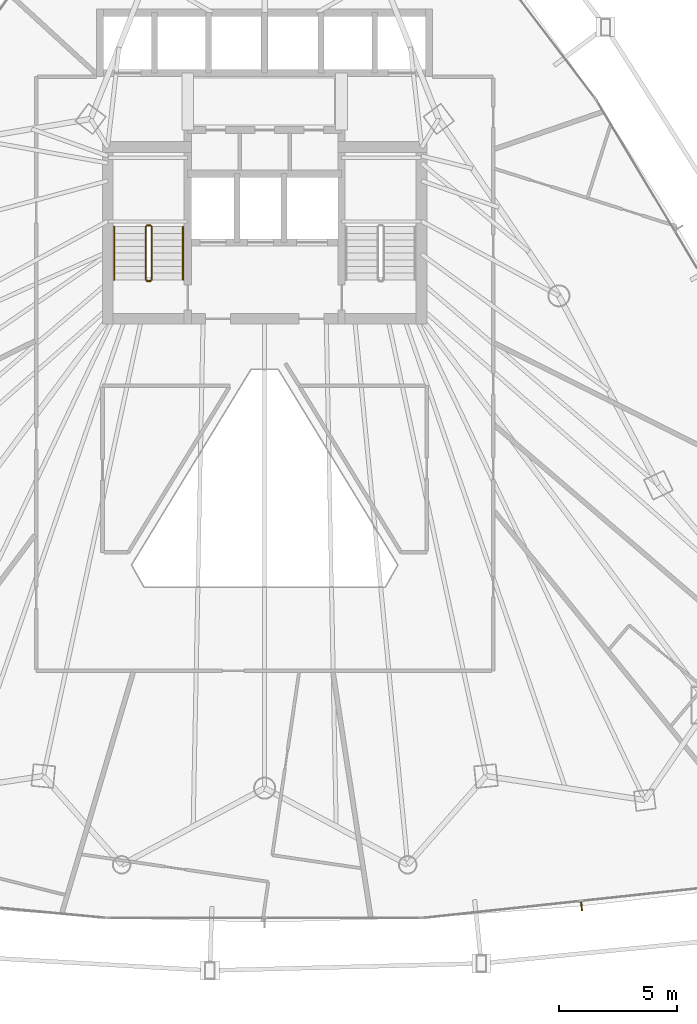
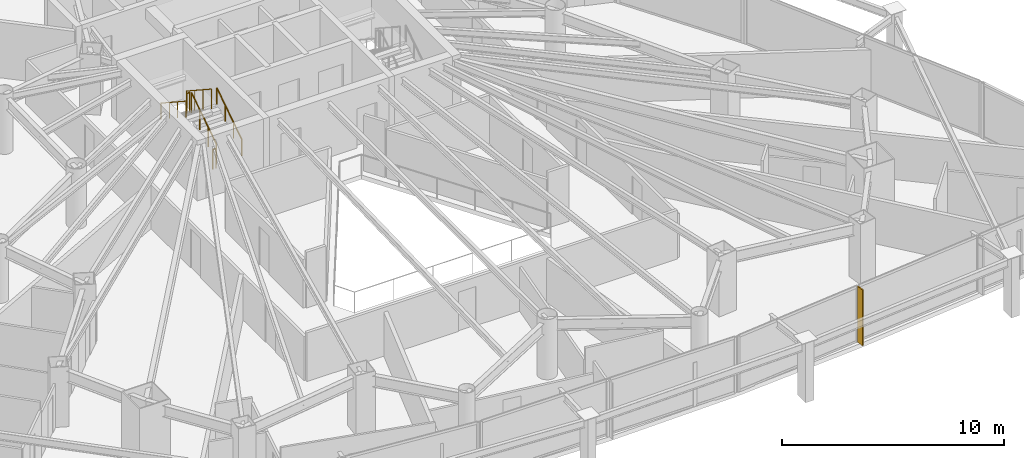
# One storey, part 33 of 35: 6 railings, 1 shading device.
"""IFC4 building model written with IfcOpenShell, lengths in metres."""

import ifcopenshell
import ifcopenshell.guid

model = None  # the IFC model being written
_history = None  # IfcOwnerHistory: only IFC2X3 demands one
_inside = {}  # id of a spatial element -> (the spatial element, [elements in it])
_under = {}  # id of a project, library or spatial element -> (it, [spatial elements below it])
_declared = {}  # id of a project -> (the project, [libraries it declares])
_typed = {}  # id of a type object -> (the type object, [elements of that type])
_made_of = {}  # id of a material, layer set ... -> (it, [elements and type objects made of it])


def new_model(schema):
    """Start an empty IFC model of exactly this schema.

    Asked for "IFC4X3", IfcOpenShell would pick the latest addendum, in which some entities
    have other attributes; the version numbers below select the first issue.
    IFC2X3 requires an IfcOwnerHistory on every rooted entity: one is made here for all.
    """
    global model, _history
    if schema == "IFC4X3":
        model = ifcopenshell.file(schema_version=(4, 3, 0, 0))
    else:
        model = ifcopenshell.file(schema=schema)
    _inside.clear()
    _under.clear()
    _declared.clear()
    _typed.clear()
    _made_of.clear()
    _history = None
    if model.schema == "IFC2X3":
        org = make("IfcOrganization", Name="unknown")
        user = make(
            "IfcPersonAndOrganization",
            ThePerson=make("IfcPerson", FamilyName="unknown"),
            TheOrganization=org,
        )
        app = make(
            "IfcApplication",
            ApplicationDeveloper=org,
            Version="unknown",
            ApplicationFullName="unknown",
            ApplicationIdentifier="unknown",
        )
        _history = make(
            "IfcOwnerHistory",
            OwningUser=user,
            OwningApplication=app,
            ChangeAction="ADDED",
            CreationDate=0,
        )
    return model


def make(cls, **values):
    """One entity of the class cls with the attributes given. An attribute that is None is left unset."""
    return model.create_entity(
        cls, **{name: value for name, value in values.items() if value is not None}
    )


def rooted(cls, **values):
    """An entity with a GlobalId (a new one), such as an element, a storey or a relation."""
    return make(cls, GlobalId=ifcopenshell.guid.new(), OwnerHistory=_history, **values)


def si_unit(unit_type, name, prefix=None):
    """IfcSIUnit, for example si_unit("LENGTHUNIT", "METRE", prefix="MILLI")."""
    return make("IfcSIUnit", UnitType=unit_type, Prefix=prefix, Name=name)


def assignment(units):
    """IfcUnitAssignment: the units of a project."""
    return None if units is None else make("IfcUnitAssignment", Units=units)


def point(xyz):
    """IfcCartesianPoint."""
    return None if xyz is None else make("IfcCartesianPoint", Coordinates=xyz)


def direction(xyz):
    """IfcDirection."""
    return None if xyz is None else make("IfcDirection", DirectionRatios=xyz)


def frame(location, z_axis=None, x_axis=None):
    """IfcAxis2Placement3D, a coordinate frame: its origin and axes. An axis left out is left unset."""
    return make(
        "IfcAxis2Placement3D",
        Location=point(location),
        Axis=direction(z_axis),
        RefDirection=direction(x_axis),
    )


def frame_2d(location, x_axis=None):
    """IfcAxis2Placement2D, a coordinate frame in the plane: its origin and x axis."""
    return make(
        "IfcAxis2Placement2D", Location=point(location), RefDirection=direction(x_axis)
    )


def origin():
    """The frame at (0, 0, 0) with its axes left unset."""
    return frame((0.0, 0.0, 0.0))


def origin_2d():
    """The frame at (0, 0) in the plane with its x axis left unset."""
    return frame_2d((0.0, 0.0))


def place(relative_to, where):
    """IfcLocalPlacement: puts the frame where relative to a parent placement (None: the world)."""
    return make(
        "IfcLocalPlacement", PlacementRelTo=relative_to, RelativePlacement=where
    )


def context(
    kind, dimensions, precision=None, world=None, true_north=None, identifier=None
):
    """IfcGeometricRepresentationContext, for example the 3D "Model" context."""
    return make(
        "IfcGeometricRepresentationContext",
        ContextIdentifier=identifier,
        ContextType=kind,
        CoordinateSpaceDimension=dimensions,
        Precision=precision,
        WorldCoordinateSystem=world,
        TrueNorth=true_north,
    )


def subcontext(parent, identifier, kind, view, scale=None):
    """IfcGeometricRepresentationSubContext, for example "Body" below "Model"."""
    return make(
        "IfcGeometricRepresentationSubContext",
        ContextIdentifier=identifier,
        ContextType=kind,
        ParentContext=parent,
        TargetScale=scale,
        TargetView=view,
    )


def project(units=None, contexts=None):
    """IfcProject with its units and contexts."""
    return rooted(
        "IfcProject",
        Name="project",
        RepresentationContexts=contexts,
        UnitsInContext=assignment(units),
    )


def spatial(cls, under=None, at=None, **own):
    """A site, building, storey or space (cls), placed at a placement, below another one or the project."""
    s = rooted(cls, ObjectPlacement=at, **own)
    if under is not None:
        _under.setdefault(under.id(), (under, []))[1].append(s)
    return s


def profile(cls, at=None, kind="AREA", **sizes):
    """A parametric profile (cls). Its sizes go by their IFC names, for example OverallWidth=200.0."""
    return make(cls, ProfileType=kind, Position=at, **sizes)


def rectangle(**sizes):
    """IfcRectangleProfileDef."""
    return profile("IfcRectangleProfileDef", **sizes)


def circle(**sizes):
    """IfcCircleProfileDef."""
    return profile("IfcCircleProfileDef", **sizes)


def extrude(swept, where, along, depth):
    """IfcExtrudedAreaSolid: the profile swept, set in the frame where, extruded along a direction by depth."""
    return make(
        "IfcExtrudedAreaSolid",
        SweptArea=swept,
        Position=where,
        ExtrudedDirection=direction(along),
        Depth=depth,
    )


def shape(context_of_items, identifier, shape_type, items):
    """IfcShapeRepresentation: the items that make up one representation, for example the "Body"."""
    return make(
        "IfcShapeRepresentation",
        ContextOfItems=context_of_items,
        RepresentationIdentifier=identifier,
        RepresentationType=shape_type,
        Items=items,
    )


def material(Name=None, Category=None):
    """IfcMaterial."""
    return make("IfcMaterial", Name=Name, Category=Category)


def layer(
    of_material, thickness, ventilated=None, Name=None, Category=None, Priority=None
):
    """IfcMaterialLayer: one layer of a wall or slab, of a material (None: an air gap)."""
    return make(
        "IfcMaterialLayer",
        Material=of_material,
        LayerThickness=thickness,
        IsVentilated=ventilated,
        Name=Name,
        Category=Category,
        Priority=Priority,
    )


def layer_set(layers, Name=None):
    """IfcMaterialLayerSet."""
    return make("IfcMaterialLayerSet", MaterialLayers=layers, LayerSetName=Name)


def made_of(thing, what):
    """Note that an element or type object is made of a material, layer set ...; save() writes the relation."""
    if what is not None:
        _made_of.setdefault(what.id(), (what, []))[1].append(thing)
    return thing


def type_object(cls, material=None, **own):
    """A type object (cls), such as IfcWallType, which elements share."""
    return made_of(rooted(cls, **own), material)


def element(
    cls,
    number,
    at=None,
    inside=None,
    cuts=None,
    type_object=None,
    material=None,
    context=None,
    identifier="Body",
    shape_type=None,
    held_by="IfcProductDefinitionShape",
    body=None,
    shapes=None,
    **own,
):
    """One element of the class cls, such as IfcWall. Its Tag is "e" and its number.

    at: its placement. inside: the storey or other place that contains it. cuts: it is an
    opening in that element (IfcRelVoidsElement). A single representation is given by context,
    identifier, shape_type and body (its items); several are given by shapes. held_by: the class
    of the entity that holds the representations. save() writes the other relations.
    """
    e = rooted(cls, Tag="e%d" % number, ObjectPlacement=at, **own)
    if body is not None:
        shapes = [shape(context, identifier, shape_type, body)]
    if shapes is not None:
        e.Representation = make(held_by, Representations=shapes)
    if inside is not None:
        _inside.setdefault(inside.id(), (inside, []))[1].append(e)
    if cuts is not None:
        rooted(
            "IfcRelVoidsElement", RelatingBuildingElement=cuts, RelatedOpeningElement=e
        )
    if type_object is not None:
        _typed.setdefault(type_object.id(), (type_object, []))[1].append(e)
    return made_of(e, material)


def aggregate(whole, parts):
    """IfcRelAggregates: a whole, such as a stair, and the parts it consists of."""
    return rooted("IfcRelAggregates", RelatingObject=whole, RelatedObjects=parts)


def save(model, path):
    """Write the relations noted so far, then the file.

    IfcRelAggregates (storeys below a building ...), IfcRelContainedInSpatialStructure (elements
    in a storey), IfcRelDefinesByType, IfcRelAssociatesMaterial and IfcRelDeclares: one each for
    every whole, place, type object, material and project.
    """
    for whole, parts in _under.values():
        aggregate(whole, parts)
    for where, things in _inside.values():
        rooted(
            "IfcRelContainedInSpatialStructure",
            RelatedElements=things,
            RelatingStructure=where,
        )
    for kind, things in _typed.values():
        rooted("IfcRelDefinesByType", RelatedObjects=things, RelatingType=kind)
    for what, things in _made_of.values():
        rooted("IfcRelAssociatesMaterial", RelatedObjects=things, RelatingMaterial=what)
    for by, libraries in _declared.values():
        rooted("IfcRelDeclares", RelatingContext=by, RelatedDefinitions=libraries)
    model.write(path)


model = new_model("IFC4")

# Units and contexts
model_context = context("Model", 3, precision=1e-05, world=origin(), true_north=direction((0.0, 1.0)))
body_context = subcontext(model_context, "Body", "Model", "MODEL_VIEW")
ifc_project = project(units=[si_unit("LENGTHUNIT", "METRE"), si_unit("AREAUNIT", "SQUARE_METRE"), si_unit("VOLUMEUNIT", "CUBIC_METRE"), si_unit("PLANEANGLEUNIT", "RADIAN"), si_unit("MASSUNIT", "GRAM", prefix="KILO")], contexts=[model_context])

# Site, building, storey
site_placement = place(None, origin())
site = spatial("IfcSite", under=ifc_project, at=site_placement, CompositionType="ELEMENT")
building_placement = place(site_placement, origin())
building = spatial("IfcBuilding", under=site, at=building_placement, Name="Orvanel Arch Residences", CompositionType="ELEMENT")
storey_placement = place(building_placement, frame((0.0, 0.0, 40.10009765625)))
storey = spatial("IfcBuildingStorey", under=building, at=storey_placement, Name="L10", CompositionType="ELEMENT", Elevation=40.10009765625)

# Shading device
ifc_material_1 = material(Name="Bronze-anodised aluminium AA6063-T6", Category="aluminium")
ifc_layer = layer(ifc_material_1, 0.06005859375)
ifc_layer_set = layer_set([ifc_layer], Name="Bronze-anodised aluminium AA6063-T6")
shading_device_type = type_object("IfcShadingDeviceType", Name="FIN-BRZ-380", PredefinedType="USERDEFINED", material=ifc_layer_set)
shading_device_placement = place(storey_placement, frame((46.385986328125, 1.85888671875, -0.000244140625), z_axis=(0.0, 0.0, 1.0), x_axis=(0.106264071336, -0.994337944133, 0.0)))
element("IfcShadingDevice", 1, at=shading_device_placement, inside=storey, type_object=shading_device_type, Name="L10 Anodised Bronze Mullion FIN 01", ObjectType="FIN", PredefinedType="USERDEFINED", context=body_context, shape_type="SweptSolid", body=[
    extrude(rectangle(XDim=0.3798828125, YDim=0.06005859375, at=origin_2d()), origin(), (0.0, 0.0, 1.0), 3.06005859375),
])

# Railings
ifc_material_2 = material(Name="Structural steel AS/NZS 1163 C350L0 (Grade 350)", Category="steel")
railing_type_1 = type_object("IfcRailingType", Name="RL-STAIR-GUARD", PredefinedType="GUARDRAIL", material=ifc_material_2)
railing_1_placement = place(storey_placement, frame((28.22998046875, 28.320068359375, 0.183349609375)))
element("IfcRailing", 2, at=railing_1_placement, inside=storey, type_object=railing_type_1, Name="L10 ST-1 stair guard 1", PredefinedType="GUARDRAIL", context=body_context, shape_type="SweptSolid", body=[
    extrude(circle(Radius=0.02392578125, at=origin_2d()), frame((0.0, 0.001220703125, 1.076904296875), z_axis=(0.0, 0.836636935527, 0.547757827979), x_axis=(-1.0, 0.0, 0.0)), (0.0, 0.0, 1.0), 2.67431640625),
    extrude(circle(Radius=0.02099609375, at=origin_2d()), origin(), (0.0, 0.0, 1.0), 1.050048828125),
    extrude(circle(Radius=0.02099609375, at=origin_2d()), frame((0.0, 0.74658203125, 0.48876953125)), (0.0, 0.0, 1.0), 1.050048828125),
    extrude(circle(Radius=0.02099609375, at=origin_2d()), frame((0.0, 1.493408203125, 0.977783203125)), (0.0, 0.0, 1.0), 1.050048828125),
    extrude(circle(Radius=0.02099609375, at=origin_2d()), frame((0.0, 2.239990234375, 1.466552734375)), (0.0, 0.0, 1.0), 1.050048828125),
])
railing_2_placement = place(storey_placement, frame((28.179931640625, 30.610107421875, 1.64990234375)))
element("IfcRailing", 3, at=railing_2_placement, inside=storey, type_object=railing_type_1, Name="L10 ST-1 stair guard 2", PredefinedType="GUARDRAIL", context=body_context, shape_type="SweptSolid", body=[
    extrude(circle(Radius=0.02392578125, at=origin_2d()), frame((-0.00146484375, 0.0, 1.076171875), z_axis=(-1.0, 0.0, 0.0), x_axis=(0.0, -1.0, 0.0)), (0.0, 0.0, 1.0), 0.156982421875),
    extrude(circle(Radius=0.02099609375, at=origin_2d()), origin(), (0.0, 0.0, 1.0), 1.050048828125),
    extrude(circle(Radius=0.02099609375, at=origin_2d()), frame((-0.159912109375, 0.0, 0.0)), (0.0, 0.0, 1.0), 1.050048828125),
])
railing_3_placement = place(storey_placement, frame((27.969970703125, 30.56005859375, 1.833251953125)))
element("IfcRailing", 4, at=railing_3_placement, inside=storey, type_object=railing_type_1, Name="L10 ST-1 stair guard 3", PredefinedType="GUARDRAIL", context=body_context, shape_type="SweptSolid", body=[
    extrude(circle(Radius=0.02392578125, at=origin_2d()), frame((0.0, -0.001220703125, 1.076904296875), z_axis=(0.0, -0.836636935527, 0.547757827979), x_axis=(1.0, 0.0, 0.0)), (0.0, 0.0, 1.0), 2.67431640625),
    extrude(circle(Radius=0.02099609375, at=origin_2d()), origin(), (0.0, 0.0, 1.0), 1.050048828125),
    extrude(circle(Radius=0.02099609375, at=origin_2d()), frame((0.0, -0.74658203125, 0.48876953125)), (0.0, 0.0, 1.0), 1.050048828125),
    extrude(circle(Radius=0.02099609375, at=origin_2d()), frame((0.0, -1.493408203125, 0.977783203125)), (0.0, 0.0, 1.0), 1.050048828125),
    extrude(circle(Radius=0.02099609375, at=origin_2d()), frame((0.0, -2.239990234375, 1.466552734375)), (0.0, 0.0, 1.0), 1.050048828125),
])
railing_4_placement = place(storey_placement, frame((28.179931640625, 28.27001953125, 0.0)))
element("IfcRailing", 5, at=railing_4_placement, inside=storey, type_object=railing_type_1, Name="L10 ST-1 stair guard 4", PredefinedType="GUARDRAIL", context=body_context, shape_type="SweptSolid", body=[
    extrude(circle(Radius=0.02392578125, at=origin_2d()), frame((-0.00146484375, 0.0, 1.076171875), z_axis=(-1.0, 0.0, 0.0), x_axis=(0.0, -1.0, 0.0)), (0.0, 0.0, 1.0), 0.156982421875),
    extrude(circle(Radius=0.02099609375, at=origin_2d()), origin(), (0.0, 0.0, 1.0), 1.050048828125),
    extrude(circle(Radius=0.02099609375, at=origin_2d()), frame((-0.159912109375, 0.0, 0.0)), (0.0, 0.0, 1.0), 1.050048828125),
])
railing_type_2 = type_object("IfcRailingType", Name="RL-STAIR-HAND", PredefinedType="HANDRAIL", material=ifc_material_2)
railing_5_placement = place(storey_placement, frame((29.550048828125, 28.320068359375, 0.183349609375)))
element("IfcRailing", 6, at=railing_5_placement, inside=storey, type_object=railing_type_2, Name="L10 ST-1 stair handrail 1", PredefinedType="HANDRAIL", context=body_context, shape_type="SweptSolid", body=[
    extrude(circle(Radius=0.02392578125, at=origin_2d()), frame((0.0, 0.001220703125, 0.876708984375), z_axis=(0.0, 0.836636935527, 0.547757827979), x_axis=(-1.0, 0.0, 0.0)), (0.0, 0.0, 1.0), 2.67431640625),
    extrude(circle(Radius=0.02099609375, at=origin_2d()), origin(), (0.0, 0.0, 1.0), 0.849853515625),
    extrude(circle(Radius=0.02099609375, at=origin_2d()), frame((0.0, 0.74658203125, 0.48876953125)), (0.0, 0.0, 1.0), 0.849853515625),
    extrude(circle(Radius=0.02099609375, at=origin_2d()), frame((0.0, 1.493408203125, 0.977783203125)), (0.0, 0.0, 1.0), 0.849853515625),
    extrude(circle(Radius=0.02099609375, at=origin_2d()), frame((0.0, 2.239990234375, 1.466552734375)), (0.0, 0.0, 1.0), 0.849853515625),
])
railing_6_placement = place(storey_placement, frame((26.64990234375, 30.56005859375, 1.833251953125)))
element("IfcRailing", 7, at=railing_6_placement, inside=storey, type_object=railing_type_2, Name="L10 ST-1 stair handrail 2", PredefinedType="HANDRAIL", context=body_context, shape_type="SweptSolid", body=[
    extrude(circle(Radius=0.02392578125, at=origin_2d()), frame((0.0, -0.001220703125, 0.876708984375), z_axis=(0.0, -0.836636935527, 0.547757827979), x_axis=(1.0, 0.0, 0.0)), (0.0, 0.0, 1.0), 2.67431640625),
    extrude(circle(Radius=0.02099609375, at=origin_2d()), origin(), (0.0, 0.0, 1.0), 0.849853515625),
    extrude(circle(Radius=0.02099609375, at=origin_2d()), frame((0.0, -0.74658203125, 0.48876953125)), (0.0, 0.0, 1.0), 0.849853515625),
    extrude(circle(Radius=0.02099609375, at=origin_2d()), frame((0.0, -1.493408203125, 0.977783203125)), (0.0, 0.0, 1.0), 0.849853515625),
    extrude(circle(Radius=0.02099609375, at=origin_2d()), frame((0.0, -2.239990234375, 1.466552734375)), (0.0, 0.0, 1.0), 0.849853515625),
])

save(model, "model.ifc")
